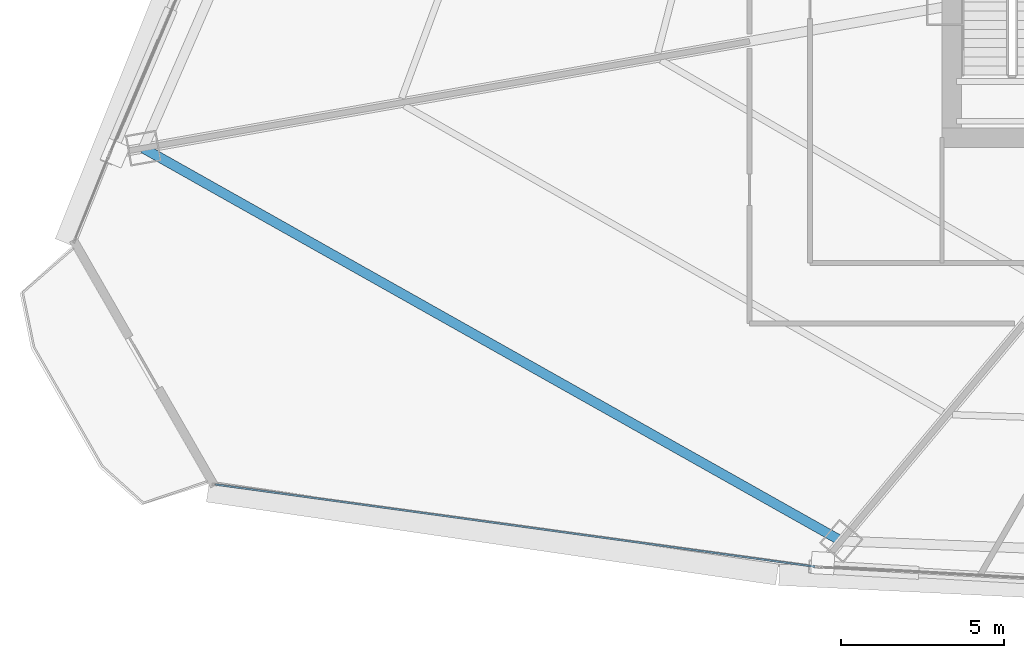
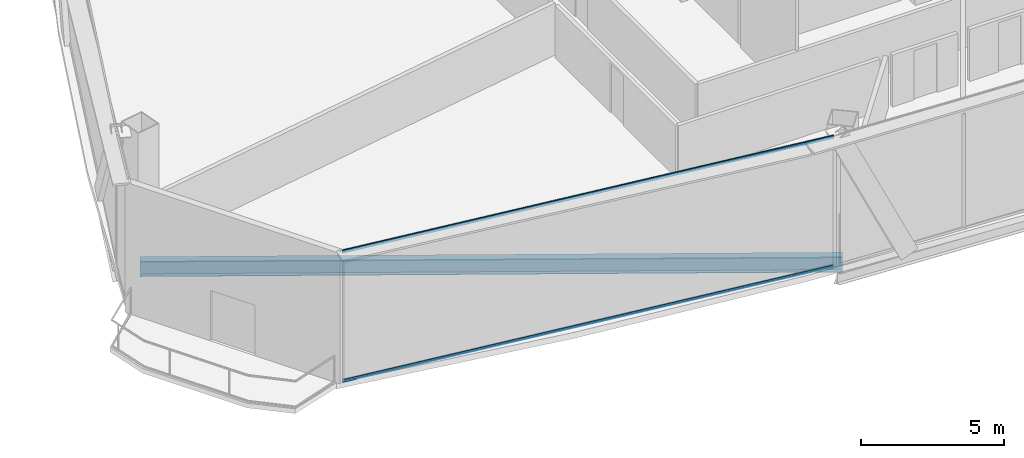
# One storey, part 3 of 40: 2 members, 1 beam, 1 element without a shape of its own.
"""IFC4 building model written with IfcOpenShell, lengths in metres."""

from ifc_helpers import new_model, si_unit, direction, frame, origin, origin_2d, place, context, subcontext, project, spatial, hollow_rectangle, i_section, extrude, source, transform, mapped, material, layer, layer_set, material_profile, profile_set, type_object, element, aggregate, save


model = new_model("IFC4")

# Units and contexts
model_context = context("Model", 3, precision=1e-05, world=origin(), true_north=direction((0.0, 1.0)))
body_context = subcontext(model_context, "Body", "Model", "MODEL_VIEW")
ifc_project = project(units=[si_unit("LENGTHUNIT", "METRE"), si_unit("AREAUNIT", "SQUARE_METRE"), si_unit("VOLUMEUNIT", "CUBIC_METRE"), si_unit("PLANEANGLEUNIT", "RADIAN"), si_unit("MASSUNIT", "GRAM", prefix="KILO"), si_unit("THERMODYNAMICTEMPERATUREUNIT", "KELVIN"), si_unit("POWERUNIT", "WATT")], contexts=[model_context])

# Site, building, storey
site_placement = place(None, origin())
site = spatial("IfcSite", under=ifc_project, at=site_placement, CompositionType="ELEMENT")
building_placement = place(site_placement, origin())
building = spatial("IfcBuilding", under=site, at=building_placement, Name="Yunzhuo Pagoda Commons", CompositionType="ELEMENT")
storey_placement = place(building_placement, frame((0.0, 0.0, 170.31005859375)))
storey = spatial("IfcBuildingStorey", under=building, at=storey_placement, Name="L43", CompositionType="ELEMENT", Elevation=170.31005859375)

# Beam
ifc_material_1 = material(Name="Structural steel Q355B", Category="steel")
ifc_material_profile_1 = material_profile(ifc_material_1, i_section(OverallWidth=0.300048828125, OverallDepth=0.64990234375, WebThickness=0.012939453125, FlangeThickness=0.02197265625, at=origin_2d()), Name="Structural steel Q355B")
ifc_profile_set_1 = profile_set([ifc_material_profile_1], Name="Structural steel Q355B")
beam_type = type_object("IfcBeamType", Name="B-RG2 Beam HN 650x300x13x22", PredefinedType="BEAM", material=ifc_profile_set_1)
shared_shape_1 = source(origin(), body_context, "Body", "SweptSolid", [
    extrude(i_section(OverallWidth=0.300048828125, OverallDepth=0.64990234375, WebThickness=0.012939453125, FlangeThickness=0.02197265625, at=origin_2d()), origin(), (0.0, 0.0, 1.0), 24.56982421875),
])
beam_placement = place(storey_placement, frame((11.0029296875, 27.176513671875, -0.5849609375), z_axis=(0.871469103633, -0.490450406681, 0.0), x_axis=(0.490450406681, 0.871469103633, 0.0)))
element("IfcBeam", 1, at=beam_placement, inside=storey, type_object=beam_type, Name="L43 column-ring beam 12", PredefinedType="BEAM", context=body_context, shape_type="MappedRepresentation", body=[
    mapped(shared_shape_1, transform((0.0, 0.0, 0.0), scale=1.0)),
])

# Curtain wall, members
ifc_material_2 = material(Name="Anodized aluminium 6063-T6", Category="aluminium")
ifc_layer = layer(ifc_material_2, 0.14990234375)
ifc_layer_set = layer_set([ifc_layer], Name="Anodized aluminium 6063-T6")
curtain_wall_type = type_object("IfcCurtainWallType", Name="CW-MID Mid-Zone Ribbon Curtain Wall", PredefinedType="NOTDEFINED", material=ifc_layer_set)
curtain_wall_placement = place(storey_placement, origin())
curtain_wall = element("IfcCurtainWall", 2, at=curtain_wall_placement, inside=storey, type_object=curtain_wall_type, Name="L43 curtain wall CW-L43-F1B1", PredefinedType="NOTDEFINED")
ifc_material_profile_2 = material_profile(ifc_material_2, hollow_rectangle(XDim=0.054931640625, YDim=0.1298828125, WallThickness=0.00341796875, at=origin_2d()), Name="Anodized aluminium 6063-T6")
ifc_profile_set_2 = profile_set([ifc_material_profile_2], Name="Anodized aluminium 6063-T6")
member_type = type_object("IfcMemberType", Name="CW-MID-T Transom RHS 130x55x3.5", PredefinedType="USERDEFINED", material=ifc_profile_set_2)
shared_shape_2 = source(origin(), body_context, "Body", "SweptSolid", [
    extrude(hollow_rectangle(XDim=0.054931640625, YDim=0.1298828125, WallThickness=0.00341796875, at=origin_2d()), origin(), (0.0, 0.0, 1.0), 18.559814453125),
])
member_1_placement = place(storey_placement, frame((13.21826171875, 16.860107421875, 0.02734375), z_axis=(0.990741021936, -0.135765339663, 0.0), x_axis=(0.135765339663, 0.990741021936, 0.0)))
member_1 = element("IfcMember", 3, at=member_1_placement, type_object=member_type, Name="CW transom 1.1", ObjectType="TRANSOM", PredefinedType="USERDEFINED", context=body_context, shape_type="MappedRepresentation", body=[
    mapped(shared_shape_2, transform((0.0, 0.0, 0.0), scale=1.0)),
])
member_2_placement = place(storey_placement, frame((13.21826171875, 16.860107421875, 5.54248046875), z_axis=(0.990741021936, -0.135765339663, 0.0), x_axis=(0.135765339663, 0.990741021936, 0.0)))
member_2 = element("IfcMember", 4, at=member_2_placement, type_object=member_type, Name="CW transom 1.2", ObjectType="TRANSOM", PredefinedType="USERDEFINED", context=body_context, shape_type="MappedRepresentation", body=[
    mapped(shared_shape_2, transform((0.0, 0.0, 0.0), scale=1.0)),
])
aggregate(curtain_wall, [member_1, member_2])

save(model, "model.ifc")
